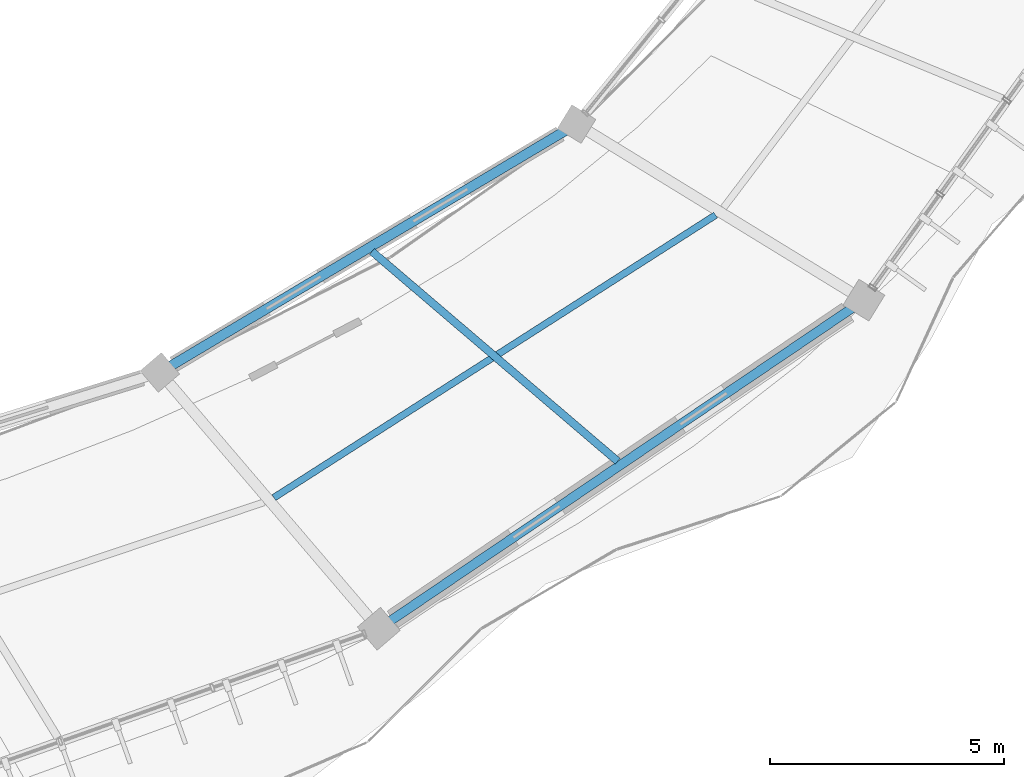
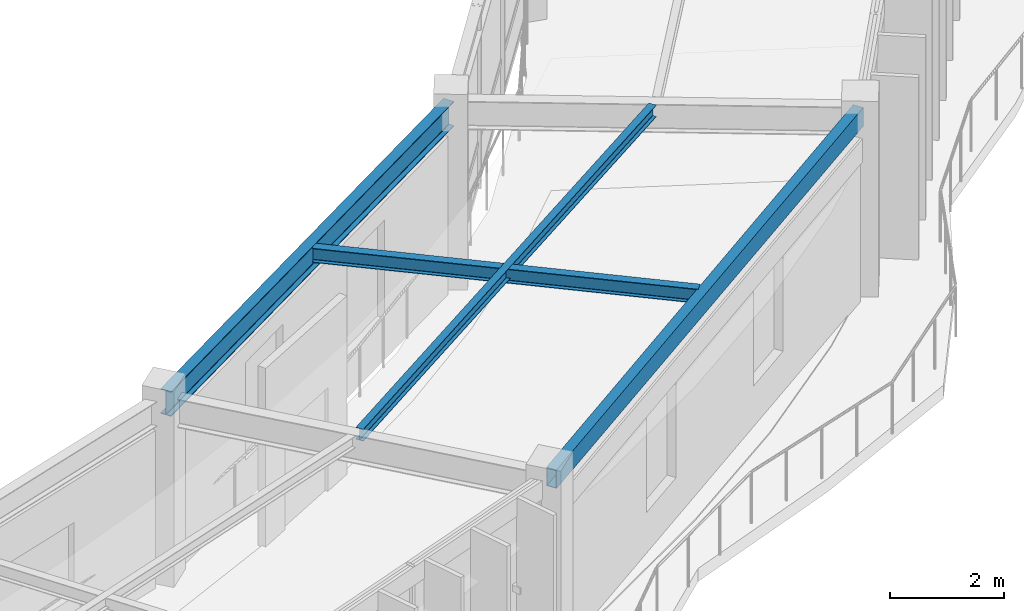
# One storey, part 54 of 114: 4 beams.
"""IFC4 building model written with IfcOpenShell, lengths in metres."""

from ifc_helpers import new_model, si_unit, direction, frame, origin, origin_2d, place, context, subcontext, project, spatial, hollow_rectangle, i_section, extrude, material, material_profile, profile_set, type_object, element, save


model = new_model("IFC4")

# Units and contexts
model_context = context("Model", 3, precision=1e-05, world=origin(), true_north=direction((0.0, 1.0)))
body_context = subcontext(model_context, "Body", "Model", "MODEL_VIEW")
ifc_project = project(units=[si_unit("LENGTHUNIT", "METRE"), si_unit("AREAUNIT", "SQUARE_METRE"), si_unit("VOLUMEUNIT", "CUBIC_METRE"), si_unit("PLANEANGLEUNIT", "RADIAN"), si_unit("MASSUNIT", "GRAM", prefix="KILO"), si_unit("THERMODYNAMICTEMPERATUREUNIT", "KELVIN"), si_unit("POWERUNIT", "WATT")], contexts=[model_context])

# Site, building, storey
site_placement = place(None, origin())
site = spatial("IfcSite", under=ifc_project, at=site_placement, CompositionType="ELEMENT")
building_placement = place(site_placement, origin())
building = spatial("IfcBuilding", under=site, at=building_placement, Name="Darbajah Civic Hall", CompositionType="ELEMENT")
storey_placement = place(building_placement, frame((0.0, 0.0, 13.800048828125)))
storey = spatial("IfcBuildingStorey", under=building, at=storey_placement, Name="L03", CompositionType="ELEMENT", Elevation=13.800048828125)

# Beams
ifc_material = material(Name="Steel S355JR", Category="steel")
ifc_material_profile_1 = material_profile(ifc_material, hollow_rectangle(XDim=0.199951171875, YDim=0.39990234375, WallThickness=0.013916015625, at=origin_2d()), Name="RHS 400x200x14")
ifc_profile_set_1 = profile_set([ifc_material_profile_1], Name="Steel S355JR")
beam_type_1 = type_object("IfcBeamType", Name="RHS 400x200x14", PredefinedType="SPANDREL", material=ifc_profile_set_1)
beam_1_placement = place(storey_placement, frame((122.2880859375, 67.412841796875, 3.719970703125), z_axis=(0.827982022698, 0.560754643394, 0.0), x_axis=(-0.560754643394, 0.827982022698, 0.0)))
element("IfcBeam", 1, at=beam_1_placement, inside=storey, type_object=beam_type_1, Name="L03 beam SP-RHS400", PredefinedType="SPANDREL", context=body_context, shape_type="SweptSolid", body=[
    extrude(hollow_rectangle(XDim=0.199951171875, YDim=0.39990234375, WallThickness=0.013916015625, at=origin_2d()), origin(), (0.0, 0.0, 1.0), 12.355712890625),
])
ifc_material_profile_2 = material_profile(ifc_material, i_section(OverallWidth=0.146484375, OverallDepth=0.256103515625, WebThickness=0.00634765625, FlangeThickness=0.010986328125, FilletRadius=0.007568359375, at=origin_2d()), Name="UB 254x146x37")
ifc_profile_set_2 = profile_set([ifc_material_profile_2], Name="Steel S355JR")
beam_type_2 = type_object("IfcBeamType", Name="UB 254x146x37", PredefinedType="JOIST", material=ifc_profile_set_2)
beam_2_placement = place(storey_placement, frame((119.981689453125, 70.16796875, 3.7919921875), z_axis=(0.842354117653, 0.538924429279, 0.0), x_axis=(-0.538924429279, 0.842354117653, 0.0)))
element("IfcBeam", 2, at=beam_2_placement, inside=storey, type_object=beam_type_2, Name="L03 beam SJ-254", PredefinedType="JOIST", context=body_context, shape_type="SweptSolid", body=[
    extrude(i_section(OverallWidth=0.146484375, OverallDepth=0.256103515625, WebThickness=0.00634765625, FlangeThickness=0.010986328125, FilletRadius=0.007568359375, at=origin_2d()), origin(), (0.0, 0.0, 1.0), 11.20166015625),
])
ifc_material_profile_3 = material_profile(ifc_material, i_section(OverallWidth=0.165771484375, OverallDepth=0.306640625, WebThickness=0.006591796875, FlangeThickness=0.01171875, FilletRadius=0.0087890625, at=origin_2d()), Name="UB 305x165x46")
ifc_profile_set_3 = profile_set([ifc_material_profile_3], Name="Steel S355JR")
beam_type_3 = type_object("IfcBeamType", Name="UB 305x165x46", PredefinedType="JOIST", material=ifc_profile_set_3)
beam_3_placement = place(storey_placement, frame((122.076416015625, 75.4267578125, 3.7666015625), z_axis=(0.760398784195, -0.649456456581, 0.0), x_axis=(0.649456456581, 0.760398784195, 0.0)))
element("IfcBeam", 3, at=beam_3_placement, inside=storey, type_object=beam_type_3, Name="L03 beam SJ-305", PredefinedType="JOIST", context=body_context, shape_type="SweptSolid", body=[
    extrude(i_section(OverallWidth=0.165771484375, OverallDepth=0.306640625, WebThickness=0.006591796875, FlangeThickness=0.01171875, FilletRadius=0.0087890625, at=origin_2d()), origin(), (0.0, 0.0, 1.0), 6.9033203125),
])
ifc_material_profile_4 = material_profile(ifc_material, i_section(OverallWidth=0.209228515625, OverallDepth=0.533203125, WebThickness=0.010009765625, FlangeThickness=0.015625, FilletRadius=0.0126953125, at=origin_2d()), Name="UB 533x210x92")
ifc_profile_set_4 = profile_set([ifc_material_profile_4], Name="Steel S355JR")
beam_type_4 = type_object("IfcBeamType", Name="UB 533x210x92", PredefinedType="BEAM", material=ifc_profile_set_4)
beam_4_placement = place(storey_placement, frame((117.614501953125, 72.8837890625, 3.653564453125), z_axis=(0.858952844576, 0.51205469512, 0.0), x_axis=(-0.51205469512, 0.858952844576, 0.0)))
element("IfcBeam", 4, at=beam_4_placement, inside=storey, type_object=beam_type_4, Name="L03 beam SB-533", PredefinedType="BEAM", context=body_context, shape_type="SweptSolid", body=[
    extrude(i_section(OverallWidth=0.209228515625, OverallDepth=0.533203125, WebThickness=0.010009765625, FlangeThickness=0.015625, FilletRadius=0.0126953125, at=origin_2d()), origin(), (0.0, 0.0, 1.0), 10.201416015625),
])

save(model, "model.ifc")
